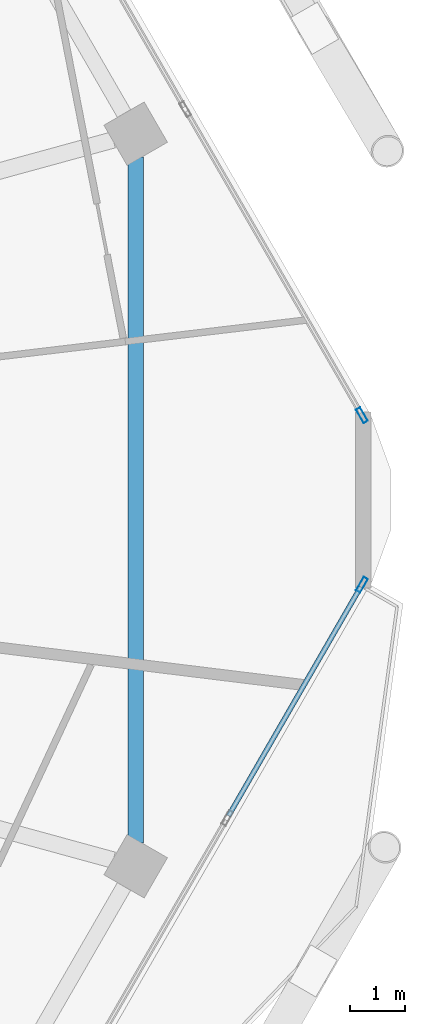
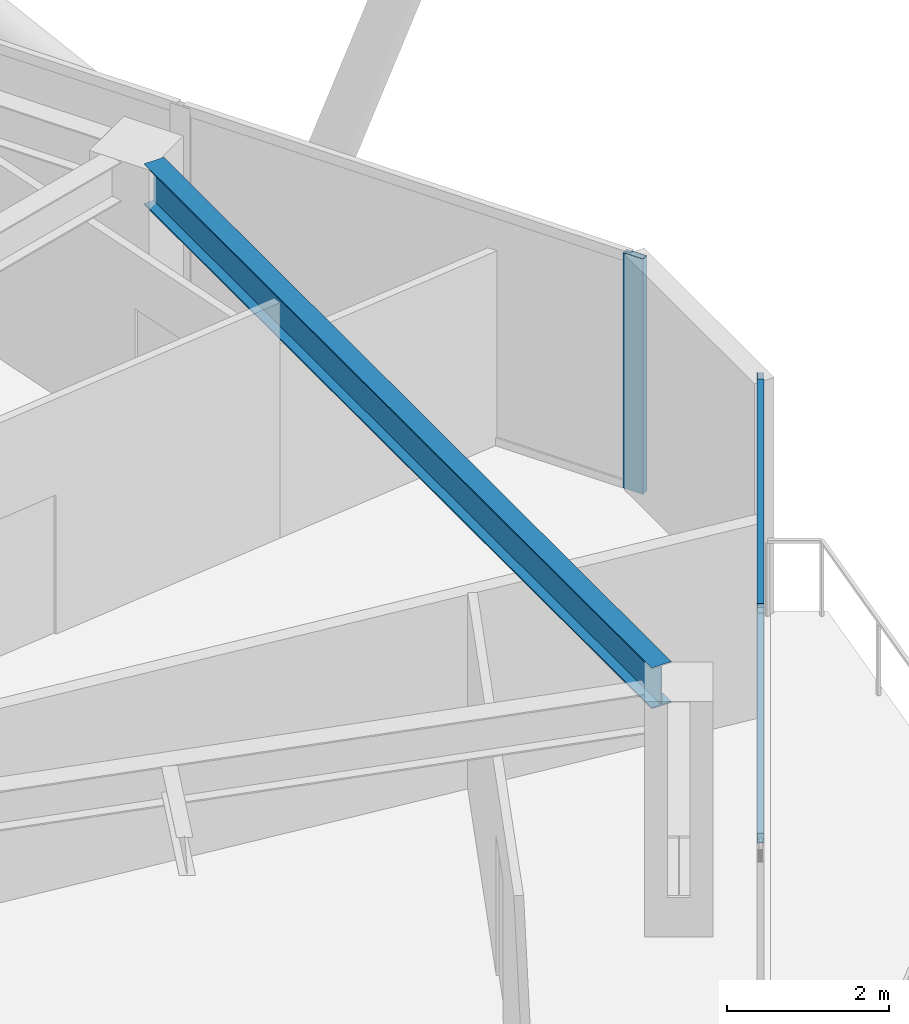
# One storey, part 11 of 29: 4 members, 1 beam, 2 elements without a shape of their own.
"""IFC4 building model written with IfcOpenShell, lengths in metres."""

from ifc_helpers import new_model, si_unit, direction, frame, origin, origin_2d, place, context, subcontext, project, spatial, hollow_rectangle, i_section, extrude, material, material_profile, profile_set, type_object, element, aggregate, save


model = new_model("IFC4")

# Units and contexts
model_context = context("Model", 3, precision=1e-05, world=origin(), true_north=direction((0.0, 1.0)))
body_context = subcontext(model_context, "Body", "Model", "MODEL_VIEW")
ifc_project = project(units=[si_unit("LENGTHUNIT", "METRE"), si_unit("AREAUNIT", "SQUARE_METRE"), si_unit("VOLUMEUNIT", "CUBIC_METRE"), si_unit("PLANEANGLEUNIT", "RADIAN"), si_unit("MASSUNIT", "GRAM", prefix="KILO")], contexts=[model_context])

# Site, building, storey
site_placement = place(None, origin())
site = spatial("IfcSite", under=ifc_project, at=site_placement, CompositionType="ELEMENT")
building_placement = place(site_placement, origin())
building = spatial("IfcBuilding", under=site, at=building_placement, Name="Zuhravey Tower", CompositionType="ELEMENT")
storey_placement = place(building_placement, frame((0.0, 0.0, 269.199951171875)))
storey = spatial("IfcBuildingStorey", under=building, at=storey_placement, Name="L68", CompositionType="ELEMENT", Elevation=269.199951171875)

# Curtain wall, member
ifc_material_1 = material(Name="Thermally broken anodised aluminium", Category="aluminium")
curtain_wall_type = type_object("IfcCurtainWallType", Name="Zone 3-4 High-Rise Curtain Wall CW4", PredefinedType="NOTDEFINED", material=ifc_material_1)
curtain_wall_1_placement = place(storey_placement, origin())
curtain_wall_1 = element("IfcCurtainWall", 1, at=curtain_wall_1_placement, inside=storey, type_object=curtain_wall_type, Name="L68 CW4 CW-L68-F6-1", PredefinedType="NOTDEFINED")
ifc_material_2 = material(Name="Anodised aluminium", Category="aluminium")
ifc_material_profile_1 = material_profile(ifc_material_2, hollow_rectangle(XDim=0.090087890625, YDim=0.284912109375, WallThickness=0.0048828125, at=origin_2d()), Name="ALU-RHS-90x285x5")
ifc_profile_set_1 = profile_set([ifc_material_profile_1], Name="Anodised aluminium")
member_type_1 = type_object("IfcMemberType", Name="Curtain-Wall Mullion 90x180", PredefinedType="MULLION", material=ifc_profile_set_1)
member_1_placement = place(storey_placement, frame((64.62255859375, 30.448486328125, 0.0), z_axis=(0.0, 0.0, 1.0), x_axis=(0.866026101514, -0.499998791495, 0.0)))
member_1 = element("IfcMember", 2, at=member_1_placement, type_object=member_type_1, Name="CW4 mullion 1", PredefinedType="MULLION", context=body_context, shape_type="SweptSolid", body=[
    extrude(hollow_rectangle(XDim=0.090087890625, YDim=0.284912109375, WallThickness=0.0048828125, at=origin_2d()), origin(), (0.0, 0.0, 1.0), 3.550048828125),
])

curtain_wall_2_placement = place(storey_placement, origin())
curtain_wall_2 = element("IfcCurtainWall", 3, at=curtain_wall_2_placement, inside=storey, type_object=curtain_wall_type, Name="L68 CW4 CW-L68-F1-1", PredefinedType="NOTDEFINED")
member_2_placement = place(storey_placement, frame((64.62255859375, 33.551513671875, 0.0), z_axis=(0.0, 0.0, 1.0), x_axis=(0.866024851021, 0.500000957414, 0.0)))
member_2 = element("IfcMember", 4, at=member_2_placement, type_object=member_type_1, Name="CW4 mullion 5", PredefinedType="MULLION", context=body_context, shape_type="SweptSolid", body=[
    extrude(hollow_rectangle(XDim=0.090087890625, YDim=0.284912109375, WallThickness=0.0048828125, at=origin_2d()), origin(), (0.0, 0.0, 1.0), 3.550048828125),
])
aggregate(curtain_wall_2, [member_2])

# Member
ifc_material_profile_2 = material_profile(ifc_material_2, hollow_rectangle(XDim=0.090087890625, YDim=0.14990234375, WallThickness=0.0048828125, at=origin_2d()), Name="ALU-RHS-90x150x5")
ifc_profile_set_2 = profile_set([ifc_material_profile_2], Name="Anodised aluminium")
member_type_2 = type_object("IfcMemberType", Name="Curtain-Wall Transom 90x150", PredefinedType="USERDEFINED", material=ifc_profile_set_2)
member_3_placement = place(storey_placement, frame((64.60009765625, 30.40966796875, 0.045166015625), z_axis=(-0.499973043887, -0.866040966344, 0.0), x_axis=(0.866040966344, -0.499973043887, 0.0)))
member_3 = element("IfcMember", 5, at=member_3_placement, type_object=member_type_2, Name="CW4 transom 1.1", ObjectType="TRANSOM", PredefinedType="USERDEFINED", context=body_context, shape_type="SweptSolid", body=[
    extrude(hollow_rectangle(XDim=0.090087890625, YDim=0.14990234375, WallThickness=0.0048828125, at=origin_2d()), origin(), (0.0, 0.0, 1.0), 4.835205078125),
])

member_4_placement = place(storey_placement, frame((64.60009765625, 30.40966796875, 3.505126953125), z_axis=(-0.499973043887, -0.866040966344, 0.0), x_axis=(0.866040966344, -0.499973043887, 0.0)))
member_4 = element("IfcMember", 6, at=member_4_placement, type_object=member_type_2, Name="CW4 transom 1.2", ObjectType="TRANSOM", PredefinedType="USERDEFINED", context=body_context, shape_type="SweptSolid", body=[
    extrude(hollow_rectangle(XDim=0.090087890625, YDim=0.14990234375, WallThickness=0.0048828125, at=origin_2d()), origin(), (0.0, 0.0, 1.0), 4.835205078125),
])

aggregate(curtain_wall_1, [member_1, member_3, member_4])

# Beam
ifc_material_3 = material(Name="Steel SM355", Category="steel")
ifc_material_profile_3 = material_profile(ifc_material_3, i_section(OverallWidth=0.280029296875, OverallDepth=0.6201171875, WebThickness=0.011962890625, FlangeThickness=0.02001953125, at=origin_2d()), Name="H-620x280x12x20")
ifc_profile_set_3 = profile_set([ifc_material_profile_3], Name="Steel SM355")
beam_type = type_object("IfcBeamType", Name="Perimeter Ring Beam H620x280", PredefinedType="BEAM", material=ifc_profile_set_3)
beam_placement = place(storey_placement, frame((60.484619140625, 25.72900390625, 3.239990234375), z_axis=(0.0, 1.0, 0.0), x_axis=(-1.0, 0.0, 0.0)))
element("IfcBeam", 7, at=beam_placement, inside=storey, type_object=beam_type, Name="L68 PB3 BM-L68-PB-12", PredefinedType="BEAM", context=body_context, shape_type="SweptSolid", body=[
    extrude(i_section(OverallWidth=0.280029296875, OverallDepth=0.6201171875, WebThickness=0.011962890625, FlangeThickness=0.02001953125, at=origin_2d()), origin(), (0.0, 0.0, 1.0), 12.5419921875),
])

save(model, "model.ifc")
